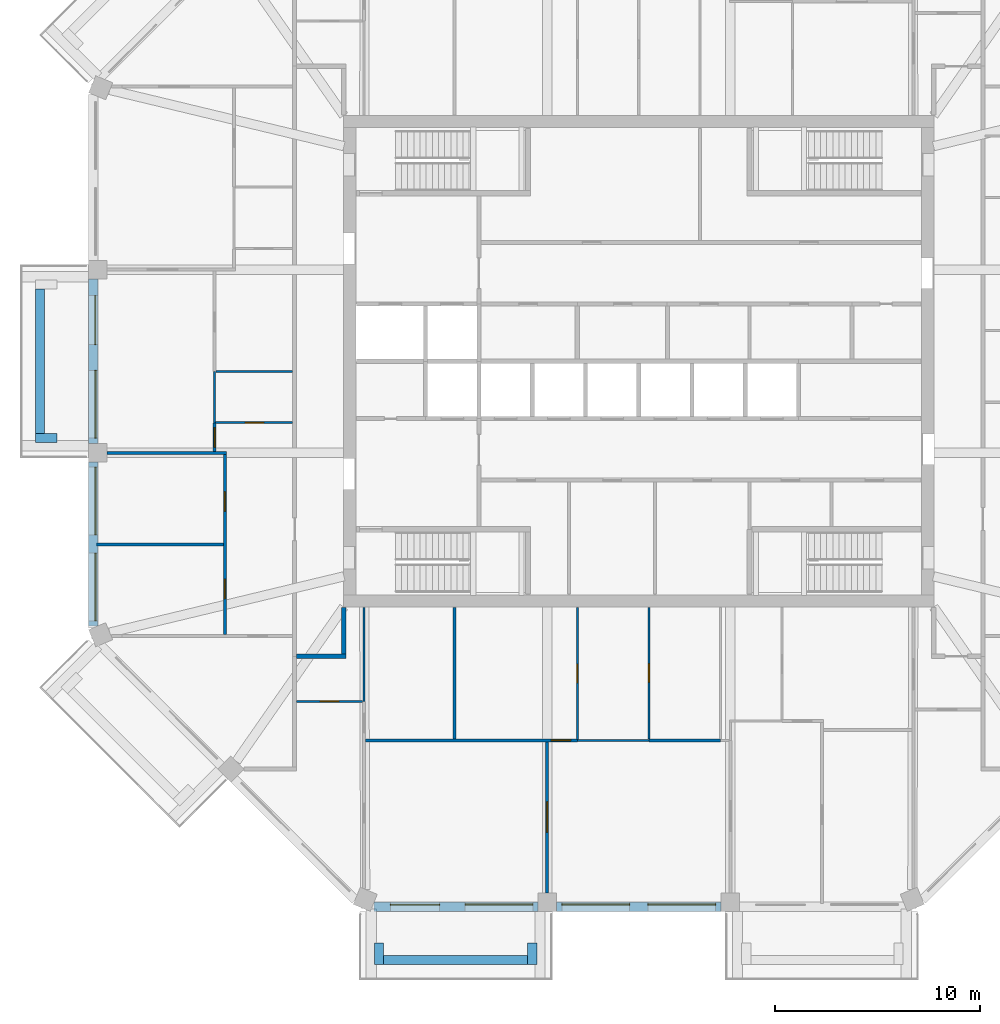
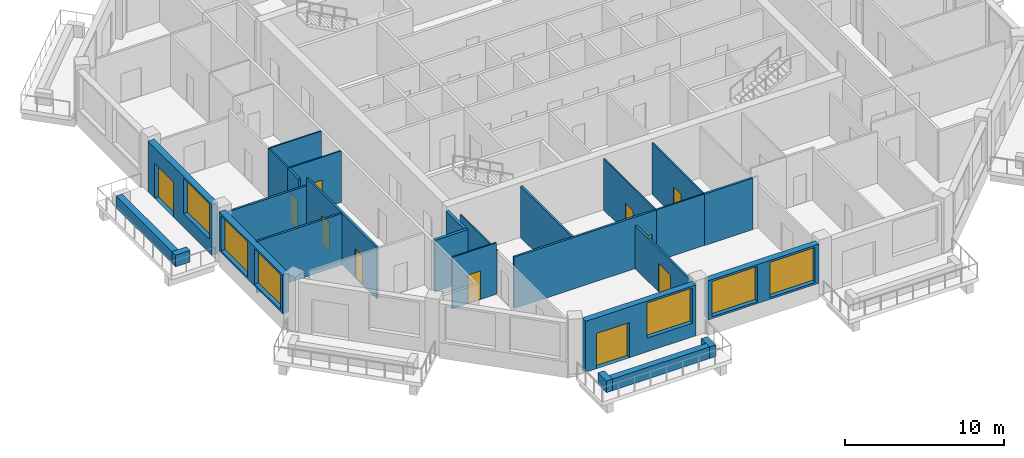
# One storey, part 3 of 12: 27 walls, 11 doors, 6 windows, 17 openings.
"""IFC4 building model written with IfcOpenShell, lengths in metres."""

from ifc_helpers import new_model, si_unit, direction, frame, frame_2d, origin, place, context, subcontext, project, spatial, rectangle, extrude, material, layer, layer_set, type_object, element, fill, save


model = new_model("IFC4")

# Units and contexts
model_context = context("Model", 3, precision=1e-05, world=origin(), true_north=direction((0.0, 1.0)))
body_context = subcontext(model_context, "Body", "Model", "MODEL_VIEW")
ifc_project = project(units=[si_unit("LENGTHUNIT", "METRE"), si_unit("AREAUNIT", "SQUARE_METRE"), si_unit("VOLUMEUNIT", "CUBIC_METRE"), si_unit("PLANEANGLEUNIT", "RADIAN"), si_unit("MASSUNIT", "GRAM", prefix="KILO")], contexts=[model_context])

# Site, building, storey
site_placement = place(None, origin())
site = spatial("IfcSite", under=ifc_project, at=site_placement, CompositionType="ELEMENT")
building_placement = place(site_placement, origin())
building = spatial("IfcBuilding", under=site, at=building_placement, Name="Msitu Wima Residences", CompositionType="ELEMENT")
storey_placement = place(building_placement, frame((0.0, 0.0, 222.300048828125)))
storey = spatial("IfcBuildingStorey", under=building, at=storey_placement, Name="L51", CompositionType="ELEMENT", Elevation=222.300048828125)

# Walls
ifc_material_1 = material(Name="Facing brick")
ifc_layer_1 = layer(ifc_material_1, 0.06494140625, Name="Facing brick")
ifc_material_2 = material(Name="Concrete C40/50", Category="concrete")
ifc_layer_2 = layer(ifc_material_2, 0.156005859375, Name="Concrete C40/50")
ifc_material_3 = material(Name="Waterproofing membrane")
ifc_layer_3 = layer(ifc_material_3, 0.00390625, Name="Waterproofing membrane")
ifc_material_4 = material(Name="Planting soil and planting")
ifc_layer_4 = layer(ifc_material_4, 0.22509765625, Name="Planting soil and planting")
ifc_layer_set_1 = layer_set([ifc_layer_1, ifc_layer_2, ifc_layer_3, ifc_layer_4], Name="Concrete C40/50")
wall_type_1 = type_object("IfcWallType", Name="Balcony planter PLANTER PL450", PredefinedType="USERDEFINED", material=ifc_layer_set_1)
wall_1_placement = place(storey_placement, frame((-29.22509765625, 3.5185546875, 0.0), z_axis=(0.0, 0.0, 1.0), x_axis=(0.0, -1.0, 0.0)))
element("IfcWall", 1, at=wall_1_placement, inside=storey, type_object=wall_type_1, Name="Balcony planter W1 L51", ObjectType="PLANTER", PredefinedType="USERDEFINED", context=body_context, shape_type="SweptSolid", body=[
    extrude(rectangle(XDim=7.037109375, YDim=0.449951171875, at=frame_2d((3.5185546875, 0.0))), origin(), (0.0, 0.0, 1.0), 0.89990234375),
])
wall_2_placement = place(storey_placement, frame((-28.39990234375, -3.74365234375, 0.0), z_axis=(0.0, 0.0, 1.0), x_axis=(-1.0, 0.0, 0.0)))
element("IfcWall", 2, at=wall_2_placement, inside=storey, type_object=wall_type_1, Name="Balcony planter W1 L51", ObjectType="PLANTER", PredefinedType="USERDEFINED", context=body_context, shape_type="SweptSolid", body=[
    extrude(rectangle(XDim=1.050048828125, YDim=0.449951171875, at=frame_2d((0.52490234375, 0.0))), origin(), (0.0, 0.0, 1.0), 0.89990234375),
])
wall_3_placement = place(storey_placement, frame((-12.455810546875, -29.22509765625, 0.0), z_axis=(0.0, 0.0, 1.0), x_axis=(1.0, 0.0, 0.0)))
element("IfcWall", 3, at=wall_3_placement, inside=storey, type_object=wall_type_1, Name="Balcony planter S0 L51", ObjectType="PLANTER", PredefinedType="USERDEFINED", context=body_context, shape_type="SweptSolid", body=[
    extrude(rectangle(XDim=7.037109375, YDim=0.449951171875, at=frame_2d((3.5185546875, 0.0))), origin(), (0.0, 0.0, 1.0), 0.89990234375),
])
for number, where, z_axis, x_axis, name in (
    (4, (-12.680908203125, -28.39990234375, 0.0), (0.0, 0.0, 1.0), (0.0, -1.0, 0.0), "Balcony planter S0 L51"),
    (5, (-5.193603515625, -28.39990234375, 0.0), (0.0, 0.0, 1.0), (0.0, -1.0, 0.0), "Balcony planter S0 L51"),
):
    element("IfcWall", number, at=place(storey_placement, frame(where, z_axis=z_axis, x_axis=x_axis)), inside=storey, type_object=wall_type_1, Name=name, ObjectType="PLANTER", PredefinedType="USERDEFINED", context=body_context, shape_type="SweptSolid", body=[
        extrude(rectangle(XDim=1.050048828125, YDim=0.449951171875, at=frame_2d((0.52490234375, 0.0))), origin(), (0.0, 0.0, 1.0), 0.89990234375),
    ])

# Wall, openings, door, window
ifc_material_5 = material(Name="Brick (red buff mix)", Category="masonry")
ifc_layer_5 = layer(ifc_material_5, 0.449951171875)
ifc_layer_set_2 = layer_set([ifc_layer_5], Name="Brick (red buff mix)")
wall_type_2 = type_object("IfcWallType", Name="Brick infill wall BW450", PredefinedType="SOLIDWALL", material=ifc_layer_set_2)
wall_4_placement = place(storey_placement, frame((-26.625, 4.0185546875, 0.0), z_axis=(0.0, 0.0, 1.0), x_axis=(0.0, -1.0, 0.0)))
wall_4 = element("IfcWall", 6, at=wall_4_placement, inside=storey, type_object=wall_type_2, Name="Brick infill wall L51 W1", PredefinedType="SOLIDWALL", context=body_context, shape_type="SweptSolid", body=[
    extrude(rectangle(XDim=8.037109375, YDim=0.449951171875, at=frame_2d((4.0185546875, 0.0))), origin(), (0.0, 0.0, 1.0), 3.89990234375),
])
opening_1_placement = place(wall_4_placement, frame((0.809326171875, 0.0, 0.0)))
opening_1 = element("IfcOpeningElement", 7, at=opening_1_placement, cuts=wall_4, Name="Opening D50-51.010", PredefinedType="OPENING", context=body_context, shape_type="SweptSolid", body=[
    extrude(rectangle(XDim=2.39990234375, YDim=2.699951171875, at=frame_2d((1.199951171875, 1.35009765625))), frame((0.0, 0.23486328125, 0.0), z_axis=(0.0, -1.0, 0.0), x_axis=(1.0, 0.0, 0.0)), (0.0, 0.0, 1.0), 0.469970703125),
])
opening_2_placement = place(wall_4_placement, frame((4.46875, 0.0, 1.050048828125)))
opening_2 = element("IfcOpeningElement", 8, at=opening_2_placement, cuts=wall_4, Name="Opening W50-51.028", PredefinedType="OPENING", context=body_context, shape_type="SweptSolid", body=[
    extrude(rectangle(XDim=3.300048828125, YDim=2.699951171875, at=frame_2d((1.64990234375, 1.35009765625))), frame((0.0, 0.23486328125, 0.0), z_axis=(0.0, -1.0, 0.0), x_axis=(1.0, 0.0, 0.0)), (0.0, 0.0, 1.0), 0.469970703125),
])
ifc_material_6 = material(Name="Anodised aluminium, bronze finish, clear low-emissivity double glazing", Category="aluminium")
door_type_1 = type_object("IfcDoorType", Name="Balcony door D2400x2700", OperationType="SLIDING_TO_LEFT", PredefinedType="DOOR", material=ifc_material_6)
door_1_placement = place(opening_1_placement, origin())
door_1 = element("IfcDoor", 9, at=door_1_placement, inside=storey, type_object=door_type_1, Name="Balcony door L51 W1", OperationType="SINGLE_SWING_LEFT", OverallHeight=2.699951171875, OverallWidth=2.39990234375, PredefinedType="DOOR", context=body_context, shape_type="SweptSolid", body=[
    extrude(rectangle(XDim=2.39990234375, YDim=2.699951171875, at=frame_2d((1.199951171875, 1.35009765625))), frame((0.0, 0.1298828125, 0.0), z_axis=(0.0, -1.0, 0.0), x_axis=(1.0, 0.0, 0.0)), (0.0, 0.0, 1.0), 0.050048828125),
])
fill(opening_1, door_1)
window_type = type_object("IfcWindowType", Name="Window W3300x2700", PartitioningType="DOUBLE_PANEL_VERTICAL", PredefinedType="WINDOW", material=ifc_material_6)
window_1_placement = place(opening_2_placement, origin())
window_1 = element("IfcWindow", 10, at=window_1_placement, inside=storey, type_object=window_type, Name="Window L51 W1.2", OverallHeight=2.699951171875, OverallWidth=3.300048828125, PartitioningType="SINGLE_PANEL", PredefinedType="WINDOW", context=body_context, shape_type="SweptSolid", body=[
    extrude(rectangle(XDim=3.300048828125, YDim=2.699951171875, at=frame_2d((1.64990234375, 1.35009765625))), frame((0.0, 0.135009765625, 0.0), z_axis=(0.0, -1.0, 0.0), x_axis=(1.0, 0.0, 0.0)), (0.0, 0.0, 1.0), 0.06005859375),
])
fill(opening_2, window_1)

# Wall, openings, windows
wall_5_placement = place(storey_placement, frame((-26.625, -4.918701171875, 0.89990234375), z_axis=(0.0, 0.0, 1.0), x_axis=(0.0, -1.0, 0.0)))
wall_5 = element("IfcWall", 11, at=wall_5_placement, inside=storey, type_object=wall_type_2, Name="Brick infill wall L51 W2", PredefinedType="SOLIDWALL", context=body_context, shape_type="SweptSolid", body=[
    extrude(rectangle(XDim=8.0, YDim=0.449951171875, at=frame_2d((4.0, 0.0))), origin(), (0.0, 0.0, 1.0), 3.0),
])
opening_3_placement = place(wall_5_placement, frame((0.25, 0.0, 0.14990234375)))
opening_3 = element("IfcOpeningElement", 12, at=opening_3_placement, cuts=wall_5, Name="Opening W50-51.029", PredefinedType="OPENING", context=body_context, shape_type="SweptSolid", body=[
    extrude(rectangle(XDim=3.300048828125, YDim=2.699951171875, at=frame_2d((1.64990234375, 1.35009765625))), frame((0.0, 0.23486328125, 0.0), z_axis=(0.0, -1.0, 0.0), x_axis=(1.0, 0.0, 0.0)), (0.0, 0.0, 1.0), 0.469970703125),
])
opening_4_placement = place(wall_5_placement, frame((4.4501953125, 0.0, 0.14990234375)))
opening_4 = element("IfcOpeningElement", 13, at=opening_4_placement, cuts=wall_5, Name="Opening W50-51.030", PredefinedType="OPENING", context=body_context, shape_type="SweptSolid", body=[
    extrude(rectangle(XDim=3.300048828125, YDim=2.699951171875, at=frame_2d((1.64990234375, 1.35009765625))), frame((0.0, 0.23486328125, 0.0), z_axis=(0.0, -1.0, 0.0), x_axis=(1.0, 0.0, 0.0)), (0.0, 0.0, 1.0), 0.469970703125),
])
window_2_placement = place(opening_3_placement, origin())
window_2 = element("IfcWindow", 14, at=window_2_placement, inside=storey, type_object=window_type, Name="Window L51 W2.1", OverallHeight=2.699951171875, OverallWidth=3.300048828125, PartitioningType="SINGLE_PANEL", PredefinedType="WINDOW", context=body_context, shape_type="SweptSolid", body=[
    extrude(rectangle(XDim=3.300048828125, YDim=2.699951171875, at=frame_2d((1.64990234375, 1.35009765625))), frame((0.0, 0.135009765625, 0.0), z_axis=(0.0, -1.0, 0.0), x_axis=(1.0, 0.0, 0.0)), (0.0, 0.0, 1.0), 0.06005859375),
])
fill(opening_3, window_2)
window_3_placement = place(opening_4_placement, origin())
window_3 = element("IfcWindow", 15, at=window_3_placement, inside=storey, type_object=window_type, Name="Window L51 W2.2", OverallHeight=2.699951171875, OverallWidth=3.300048828125, PartitioningType="SINGLE_PANEL", PredefinedType="WINDOW", context=body_context, shape_type="SweptSolid", body=[
    extrude(rectangle(XDim=3.300048828125, YDim=2.699951171875, at=frame_2d((1.64990234375, 1.35009765625))), frame((0.0, 0.135009765625, 0.0), z_axis=(0.0, -1.0, 0.0), x_axis=(1.0, 0.0, 0.0)), (0.0, 0.0, 1.0), 0.06005859375),
])
fill(opening_4, window_3)

# Wall, openings, door, window
wall_6_placement = place(storey_placement, frame((-12.918701171875, -26.625, 0.0), z_axis=(0.0, 0.0, 1.0), x_axis=(1.0, 0.0, 0.0)))
wall_6 = element("IfcWall", 16, at=wall_6_placement, inside=storey, type_object=wall_type_2, Name="Brick infill wall L51 S0", PredefinedType="SOLIDWALL", context=body_context, shape_type="SweptSolid", body=[
    extrude(rectangle(XDim=8.0, YDim=0.449951171875, at=frame_2d((4.0, 0.0))), origin(), (0.0, 0.0, 1.0), 3.89990234375),
])
opening_5_placement = place(wall_6_placement, frame((0.800048828125, 0.0, 0.0)))
opening_5 = element("IfcOpeningElement", 17, at=opening_5_placement, cuts=wall_6, Name="Opening D50-51.006", PredefinedType="OPENING", context=body_context, shape_type="SweptSolid", body=[
    extrude(rectangle(XDim=2.39990234375, YDim=2.699951171875, at=frame_2d((1.199951171875, 1.35009765625))), frame((0.0, 0.23486328125, 0.0), z_axis=(0.0, -1.0, 0.0), x_axis=(1.0, 0.0, 0.0)), (0.0, 0.0, 1.0), 0.469970703125),
])
opening_6_placement = place(wall_6_placement, frame((4.4501953125, 0.0, 1.050048828125)))
opening_6 = element("IfcOpeningElement", 18, at=opening_6_placement, cuts=wall_6, Name="Opening W50-51.016", PredefinedType="OPENING", context=body_context, shape_type="SweptSolid", body=[
    extrude(rectangle(XDim=3.300048828125, YDim=2.699951171875, at=frame_2d((1.64990234375, 1.35009765625))), frame((0.0, 0.23486328125, 0.0), z_axis=(0.0, -1.0, 0.0), x_axis=(1.0, 0.0, 0.0)), (0.0, 0.0, 1.0), 0.469970703125),
])
door_2_placement = place(opening_5_placement, origin())
door_2 = element("IfcDoor", 19, at=door_2_placement, inside=storey, type_object=door_type_1, Name="Balcony door L51 S0", OperationType="SINGLE_SWING_LEFT", OverallHeight=2.699951171875, OverallWidth=2.39990234375, PredefinedType="DOOR", context=body_context, shape_type="SweptSolid", body=[
    extrude(rectangle(XDim=2.39990234375, YDim=2.699951171875, at=frame_2d((1.199951171875, 1.35009765625))), frame((0.0, 0.1298828125, 0.0), z_axis=(0.0, -1.0, 0.0), x_axis=(1.0, 0.0, 0.0)), (0.0, 0.0, 1.0), 0.050048828125),
])
fill(opening_5, door_2)
window_4_placement = place(opening_6_placement, origin())
window_4 = element("IfcWindow", 20, at=window_4_placement, inside=storey, type_object=window_type, Name="Window L51 S0.2", OverallHeight=2.699951171875, OverallWidth=3.300048828125, PartitioningType="SINGLE_PANEL", PredefinedType="WINDOW", context=body_context, shape_type="SweptSolid", body=[
    extrude(rectangle(XDim=3.300048828125, YDim=2.699951171875, at=frame_2d((1.64990234375, 1.35009765625))), frame((0.0, 0.135009765625, 0.0), z_axis=(0.0, -1.0, 0.0), x_axis=(1.0, 0.0, 0.0)), (0.0, 0.0, 1.0), 0.06005859375),
])
fill(opening_6, window_4)

# Wall, openings, windows
wall_7_placement = place(storey_placement, frame((-4.0185546875, -26.625, 0.89990234375), z_axis=(0.0, 0.0, 1.0), x_axis=(1.0, 0.0, 0.0)))
wall_7 = element("IfcWall", 21, at=wall_7_placement, inside=storey, type_object=wall_type_2, Name="Brick infill wall L51 S1", PredefinedType="SOLIDWALL", context=body_context, shape_type="SweptSolid", body=[
    extrude(rectangle(XDim=8.037109375, YDim=0.449951171875, at=frame_2d((4.0185546875, 0.0))), origin(), (0.0, 0.0, 1.0), 3.0),
])
opening_7_placement = place(wall_7_placement, frame((0.2685546875, 0.0, 0.14990234375)))
opening_7 = element("IfcOpeningElement", 22, at=opening_7_placement, cuts=wall_7, Name="Opening W50-51.017", PredefinedType="OPENING", context=body_context, shape_type="SweptSolid", body=[
    extrude(rectangle(XDim=3.300048828125, YDim=2.699951171875, at=frame_2d((1.64990234375, 1.35009765625))), frame((0.0, 0.23486328125, 0.0), z_axis=(0.0, -1.0, 0.0), x_axis=(1.0, 0.0, 0.0)), (0.0, 0.0, 1.0), 0.469970703125),
])
opening_8_placement = place(wall_7_placement, frame((4.46875, 0.0, 0.14990234375)))
opening_8 = element("IfcOpeningElement", 23, at=opening_8_placement, cuts=wall_7, Name="Opening W50-51.018", PredefinedType="OPENING", context=body_context, shape_type="SweptSolid", body=[
    extrude(rectangle(XDim=3.300048828125, YDim=2.699951171875, at=frame_2d((1.64990234375, 1.35009765625))), frame((0.0, 0.23486328125, 0.0), z_axis=(0.0, -1.0, 0.0), x_axis=(1.0, 0.0, 0.0)), (0.0, 0.0, 1.0), 0.469970703125),
])
window_5_placement = place(opening_7_placement, origin())
window_5 = element("IfcWindow", 24, at=window_5_placement, inside=storey, type_object=window_type, Name="Window L51 S1.1", OverallHeight=2.699951171875, OverallWidth=3.300048828125, PartitioningType="SINGLE_PANEL", PredefinedType="WINDOW", context=body_context, shape_type="SweptSolid", body=[
    extrude(rectangle(XDim=3.300048828125, YDim=2.699951171875, at=frame_2d((1.64990234375, 1.35009765625))), frame((0.0, 0.135009765625, 0.0), z_axis=(0.0, -1.0, 0.0), x_axis=(1.0, 0.0, 0.0)), (0.0, 0.0, 1.0), 0.06005859375),
])
fill(opening_7, window_5)
window_6_placement = place(opening_8_placement, origin())
window_6 = element("IfcWindow", 25, at=window_6_placement, inside=storey, type_object=window_type, Name="Window L51 S1.2", OverallHeight=2.699951171875, OverallWidth=3.300048828125, PartitioningType="SINGLE_PANEL", PredefinedType="WINDOW", context=body_context, shape_type="SweptSolid", body=[
    extrude(rectangle(XDim=3.300048828125, YDim=2.699951171875, at=frame_2d((1.64990234375, 1.35009765625))), frame((0.0, 0.135009765625, 0.0), z_axis=(0.0, -1.0, 0.0), x_axis=(1.0, 0.0, 0.0)), (0.0, 0.0, 1.0), 0.06005859375),
])
fill(opening_8, window_6)

# Walls
ifc_material_7 = material(Name="Plaster")
ifc_layer_6 = layer(ifc_material_7, 0.011962890625, Name="Plaster")
ifc_material_8 = material(Name="Concrete blockwork", Category="masonry")
ifc_layer_7 = layer(ifc_material_8, 0.176025390625, Name="Concrete blockwork")
ifc_layer_8 = layer(ifc_material_7, 0.011962890625, Name="Plaster")
ifc_layer_set_3 = layer_set([ifc_layer_6, ifc_layer_7, ifc_layer_8], Name="Concrete blockwork")
wall_type_3 = type_object("IfcWallType", Name="Corridor wall FW200", PredefinedType="PARTITIONING", material=ifc_layer_set_3)
wall_8_placement = place(storey_placement, frame((-16.699951171875, -14.39990234375, 0.0), z_axis=(0.0, 0.0, 1.0), x_axis=(1.0, 0.0, 0.0)))
element("IfcWall", 26, at=wall_8_placement, inside=storey, type_object=wall_type_3, Name="Corridor wall", PredefinedType="PARTITIONING", context=body_context, shape_type="SweptSolid", body=[
    extrude(rectangle(XDim=2.39990234375, YDim=0.199951171875, at=frame_2d((1.199951171875, 0.0))), origin(), (0.0, 0.0, 1.0), 3.949951171875),
])
wall_9_placement = place(storey_placement, frame((-14.39990234375, -14.300048828125, 0.0), z_axis=(0.0, 0.0, 1.0), x_axis=(0.0, 1.0, 0.0)))
element("IfcWall", 27, at=wall_9_placement, inside=storey, type_object=wall_type_3, Name="Corridor wall", PredefinedType="PARTITIONING", context=body_context, shape_type="SweptSolid", body=[
    extrude(rectangle(XDim=2.27001953125, YDim=0.199951171875, at=frame_2d((1.135009765625, 0.0))), origin(), (0.0, 0.0, 1.0), 3.949951171875),
])
ifc_layer_9 = layer(ifc_material_7, 0.011962890625, Name="Plaster")
ifc_layer_10 = layer(ifc_material_8, 0.1259765625, Name="Concrete blockwork")
ifc_layer_11 = layer(ifc_material_7, 0.011962890625, Name="Plaster")
ifc_layer_set_4 = layer_set([ifc_layer_9, ifc_layer_10, ifc_layer_11], Name="Concrete blockwork")
wall_type_4 = type_object("IfcWallType", Name="Partition PW150", PredefinedType="PARTITIONING", material=ifc_layer_set_4)
wall_10_placement = place(storey_placement, frame((-26.455078125, -8.937255859375, 0.0), z_axis=(0.0, 0.0, 1.0), x_axis=(1.0, 0.0, 0.0)))
element("IfcWall", 28, at=wall_10_placement, inside=storey, type_object=wall_type_4, Name="Partition", PredefinedType="PARTITIONING", context=body_context, shape_type="SweptSolid", body=[
    extrude(rectangle(XDim=6.18017578125, YDim=0.14990234375, at=frame_2d((3.090087890625, 0.0))), origin(), (0.0, 0.0, 1.0), 3.949951171875),
])
wall_11_placement = place(storey_placement, frame((-25.949951171875, -4.46875, 0.0), z_axis=(0.0, 0.0, 1.0), x_axis=(1.0, 0.0, 0.0)))
element("IfcWall", 29, at=wall_11_placement, inside=storey, type_object=wall_type_4, Name="Partition", PredefinedType="PARTITIONING", context=body_context, shape_type="SweptSolid", body=[
    extrude(rectangle(XDim=5.824951171875, YDim=0.14990234375, at=frame_2d((2.91259765625, 0.0))), origin(), (0.0, 0.0, 1.0), 3.349853515625),
])

# Wall, opening, door
wall_12_placement = place(storey_placement, frame((-20.699951171875, -4.3935546875, 0.0), z_axis=(0.0, 0.0, 1.0), x_axis=(0.0, 1.0, 0.0)))
wall_12 = element("IfcWall", 30, at=wall_12_placement, inside=storey, type_object=wall_type_4, Name="Partition", PredefinedType="PARTITIONING", context=body_context, shape_type="SweptSolid", body=[
    extrude(rectangle(XDim=1.37353515625, YDim=0.14990234375, at=frame_2d((0.686767578125, 0.0))), origin(), (0.0, 0.0, 1.0), 3.949951171875),
])
opening_9_placement = place(wall_12_placement, frame((0.199951171875, 0.0, 0.0)))
opening_9 = element("IfcOpeningElement", 31, at=opening_9_placement, cuts=wall_12, Name="Opening D50-51.041", PredefinedType="OPENING", context=body_context, shape_type="SweptSolid", body=[
    extrude(rectangle(XDim=0.949951171875, YDim=2.199951171875, at=frame_2d((0.47509765625, 1.10009765625))), frame((0.0, 0.0849609375, 0.0), z_axis=(0.0, -1.0, 0.0), x_axis=(1.0, 0.0, 0.0)), (0.0, 0.0, 1.0), 0.169921875),
])
ifc_material_9 = material(Name="Timber flush door", Category="wood")
door_type_2 = type_object("IfcDoorType", Name="Room door D12 950x2200", OperationType="SINGLE_SWING_LEFT", PredefinedType="DOOR", material=ifc_material_9)
door_3_placement = place(opening_9_placement, origin())
door_3 = element("IfcDoor", 32, at=door_3_placement, inside=storey, type_object=door_type_2, Name="Room door", OperationType="SINGLE_SWING_LEFT", OverallHeight=2.199951171875, OverallWidth=0.949951171875, PredefinedType="DOOR", context=body_context, shape_type="SweptSolid", body=[
    extrude(rectangle(XDim=0.949951171875, YDim=2.199951171875, at=frame_2d((0.47509765625, 1.10009765625))), frame((0.0, 0.02490234375, 0.0), z_axis=(0.0, -1.0, 0.0), x_axis=(1.0, 0.0, 0.0)), (0.0, 0.0, 1.0), 0.050048828125),
])
fill(opening_9, door_3)

# Wall, openings, doors
wall_13_placement = place(storey_placement, frame((-20.199951171875, -13.330810546875, 0.0), z_axis=(0.0, 0.0, 1.0), x_axis=(0.0, 1.0, 0.0)))
wall_13 = element("IfcWall", 33, at=wall_13_placement, inside=storey, type_object=wall_type_4, Name="Partition", PredefinedType="PARTITIONING", context=body_context, shape_type="SweptSolid", body=[
    extrude(rectangle(XDim=8.787109375, YDim=0.14990234375, at=frame_2d((4.3935546875, 0.0))), origin(), (0.0, 0.0, 1.0), 3.949951171875),
])
opening_10_placement = place(wall_13_placement, frame((1.75, 0.0, 0.0)))
opening_10 = element("IfcOpeningElement", 34, at=opening_10_placement, cuts=wall_13, Name="Opening D50-51.039", PredefinedType="OPENING", context=body_context, shape_type="SweptSolid", body=[
    extrude(rectangle(XDim=0.949951171875, YDim=2.199951171875, at=frame_2d((0.47509765625, 1.10009765625))), frame((0.0, 0.0849609375, 0.0), z_axis=(0.0, -1.0, 0.0), x_axis=(1.0, 0.0, 0.0)), (0.0, 0.0, 1.0), 0.169921875),
])
opening_11_placement = place(wall_13_placement, frame((6.0, 0.0, 0.0)))
opening_11 = element("IfcOpeningElement", 35, at=opening_11_placement, cuts=wall_13, Name="Opening D50-51.040", PredefinedType="OPENING", context=body_context, shape_type="SweptSolid", body=[
    extrude(rectangle(XDim=0.949951171875, YDim=2.199951171875, at=frame_2d((0.47509765625, 1.10009765625))), frame((0.0, 0.0849609375, 0.0), z_axis=(0.0, -1.0, 0.0), x_axis=(1.0, 0.0, 0.0)), (0.0, 0.0, 1.0), 0.169921875),
])
door_4_placement = place(opening_10_placement, origin())
door_4 = element("IfcDoor", 36, at=door_4_placement, inside=storey, type_object=door_type_2, Name="Room door", OperationType="SINGLE_SWING_RIGHT", OverallHeight=2.199951171875, OverallWidth=0.949951171875, PredefinedType="DOOR", context=body_context, shape_type="SweptSolid", body=[
    extrude(rectangle(XDim=0.949951171875, YDim=2.199951171875, at=frame_2d((0.47509765625, 1.10009765625))), frame((0.0, 0.02490234375, 0.0), z_axis=(0.0, -1.0, 0.0), x_axis=(1.0, 0.0, 0.0)), (0.0, 0.0, 1.0), 0.050048828125),
])
fill(opening_10, door_4)
door_5_placement = place(opening_11_placement, origin())
door_5 = element("IfcDoor", 37, at=door_5_placement, inside=storey, type_object=door_type_2, Name="Room door", OperationType="SINGLE_SWING_LEFT", OverallHeight=2.199951171875, OverallWidth=0.949951171875, PredefinedType="DOOR", context=body_context, shape_type="SweptSolid", body=[
    extrude(rectangle(XDim=0.949951171875, YDim=2.199951171875, at=frame_2d((0.47509765625, 1.10009765625))), frame((0.0, 0.02490234375, 0.0), z_axis=(0.0, -1.0, 0.0), x_axis=(1.0, 0.0, 0.0)), (0.0, 0.0, 1.0), 0.050048828125),
])
fill(opening_11, door_5)

# Wall, opening, door
wall_14_placement = place(storey_placement, frame((-13.330810546875, -18.5, 0.0), z_axis=(0.0, 0.0, 1.0), x_axis=(1.0, 0.0, 0.0)))
wall_14 = element("IfcWall", 38, at=wall_14_placement, inside=storey, type_object=wall_type_4, Name="Partition", PredefinedType="PARTITIONING", context=body_context, shape_type="SweptSolid", body=[
    extrude(rectangle(XDim=10.330810546875, YDim=0.14990234375, at=frame_2d((5.16552734375, 0.0))), origin(), (0.0, 0.0, 1.0), 3.949951171875),
])
opening_12_placement = place(wall_14_placement, frame((9.050048828125, 0.0, 0.0)))
opening_12 = element("IfcOpeningElement", 39, at=opening_12_placement, cuts=wall_14, Name="Opening D50-51.057", PredefinedType="OPENING", context=body_context, shape_type="SweptSolid", body=[
    extrude(rectangle(XDim=0.949951171875, YDim=2.199951171875, at=frame_2d((0.47509765625, 1.10009765625))), frame((0.0, 0.0849609375, 0.0), z_axis=(0.0, -1.0, 0.0), x_axis=(1.0, 0.0, 0.0)), (0.0, 0.0, 1.0), 0.169921875),
])
door_6_placement = place(opening_12_placement, origin())
door_6 = element("IfcDoor", 40, at=door_6_placement, inside=storey, type_object=door_type_2, Name="Room door", OperationType="SINGLE_SWING_RIGHT", OverallHeight=2.199951171875, OverallWidth=0.949951171875, PredefinedType="DOOR", context=body_context, shape_type="SweptSolid", body=[
    extrude(rectangle(XDim=0.949951171875, YDim=2.199951171875, at=frame_2d((0.47509765625, 1.10009765625))), frame((0.0, 0.02490234375, 0.0), z_axis=(0.0, -1.0, 0.0), x_axis=(1.0, 0.0, 0.0)), (0.0, 0.0, 1.0), 0.050048828125),
])
fill(opening_12, door_6)

# Wall
wall_15_placement = place(storey_placement, frame((-9.0, -18.425048828125, 0.0), z_axis=(0.0, 0.0, 1.0), x_axis=(0.0, 1.0, 0.0)))
element("IfcWall", 41, at=wall_15_placement, inside=storey, type_object=wall_type_4, Name="Partition", PredefinedType="PARTITIONING", context=body_context, shape_type="SweptSolid", body=[
    extrude(rectangle(XDim=6.39501953125, YDim=0.14990234375, at=frame_2d((3.197509765625, 0.0))), origin(), (0.0, 0.0, 1.0), 3.949951171875),
])

# Wall, opening, door
wall_16_placement = place(storey_placement, frame((-4.46875, -25.949951171875, 0.0), z_axis=(0.0, 0.0, 1.0), x_axis=(0.0, 1.0, 0.0)))
wall_16 = element("IfcWall", 42, at=wall_16_placement, inside=storey, type_object=wall_type_4, Name="Partition", PredefinedType="PARTITIONING", context=body_context, shape_type="SweptSolid", body=[
    extrude(rectangle(XDim=7.375, YDim=0.14990234375, at=frame_2d((3.6875, 0.0))), origin(), (0.0, 0.0, 1.0), 3.300048828125),
])
opening_13_placement = place(wall_16_placement, frame((2.949951171875, 0.0, 0.0)))
opening_13 = element("IfcOpeningElement", 43, at=opening_13_placement, cuts=wall_16, Name="Opening D50-51.048", PredefinedType="OPENING", context=body_context, shape_type="SweptSolid", body=[
    extrude(rectangle(XDim=1.5, YDim=2.199951171875, at=frame_2d((0.75, 1.10009765625))), frame((0.0, 0.0849609375, 0.0), z_axis=(0.0, -1.0, 0.0), x_axis=(1.0, 0.0, 0.0)), (0.0, 0.0, 1.0), 0.169921875),
])
ifc_material_10 = material(Name="Timber double door", Category="wood")
door_type_3 = type_object("IfcDoorType", Name="Double door D04 1500x2200", OperationType="DOUBLE_DOOR_SINGLE_SWING", PredefinedType="DOOR", material=ifc_material_10)
door_7_placement = place(opening_13_placement, origin())
door_7 = element("IfcDoor", 44, at=door_7_placement, inside=storey, type_object=door_type_3, Name="Double door", OperationType="DOUBLE_DOOR_SINGLE_SWING", OverallHeight=2.199951171875, OverallWidth=1.5, PredefinedType="DOOR", context=body_context, shape_type="SweptSolid", body=[
    extrude(rectangle(XDim=1.5, YDim=2.199951171875, at=frame_2d((0.75, 1.10009765625))), frame((0.0, 0.02490234375, 0.0), z_axis=(0.0, -1.0, 0.0), x_axis=(1.0, 0.0, 0.0)), (0.0, 0.0, 1.0), 0.050048828125),
])
fill(opening_13, door_7)

# Walls
wall_17_placement = place(storey_placement, frame((0.5, -18.5, 0.0), z_axis=(0.0, 0.0, 1.0), x_axis=(1.0, 0.0, 0.0)))
element("IfcWall", 45, at=wall_17_placement, inside=storey, type_object=wall_type_4, Name="Partition", PredefinedType="PARTITIONING", context=body_context, shape_type="SweptSolid", body=[
    extrude(rectangle(XDim=3.5, YDim=0.14990234375, at=frame_2d((1.75, 0.0))), origin(), (0.0, 0.0, 1.0), 3.949951171875),
])
ifc_material_11 = material(Name="Ceramic tiles")
ifc_layer_12 = layer(ifc_material_11, 0.008056640625, Name="Ceramic tiles")
ifc_material_12 = material(Name="Moisture-resistant board")
ifc_layer_13 = layer(ifc_material_12, 0.012451171875, Name="Moisture-resistant board")
ifc_material_13 = material(Name="Light-gauge stud framing with mineral wool")
ifc_layer_14 = layer(ifc_material_13, 0.06689453125, Name="Light-gauge stud framing with mineral wool")
ifc_layer_15 = layer(ifc_material_12, 0.012451171875, Name="Moisture-resistant board")
ifc_layer_set_5 = layer_set([ifc_layer_12, ifc_layer_13, ifc_layer_14, ifc_layer_15], Name="Light-gauge stud framing with mineral wool")
wall_type_5 = type_object("IfcWallType", Name="Wet wall PW100", PredefinedType="PARTITIONING", material=ifc_layer_set_5)
wall_18_placement = place(storey_placement, frame((-20.699951171875, -3.02001953125, 0.0), z_axis=(0.0, 0.0, 1.0), x_axis=(0.0, 1.0, 0.0)))
element("IfcWall", 46, at=wall_18_placement, inside=storey, type_object=wall_type_5, Name="Wet wall", PredefinedType="PARTITIONING", context=body_context, shape_type="SweptSolid", body=[
    extrude(rectangle(XDim=2.52001953125, YDim=0.10009765625, at=frame_2d((1.260009765625, 0.0))), origin(), (0.0, 0.0, 1.0), 3.949951171875),
])

# Wall, opening, door
wall_19_placement = place(storey_placement, frame((-20.64990234375, -3.0, 0.0), z_axis=(0.0, 0.0, 1.0), x_axis=(1.0, 0.0, 0.0)))
wall_19 = element("IfcWall", 47, at=wall_19_placement, inside=storey, type_object=wall_type_5, Name="Wet wall", PredefinedType="PARTITIONING", context=body_context, shape_type="SweptSolid", body=[
    extrude(rectangle(XDim=3.75, YDim=0.10009765625, at=frame_2d((1.875, 0.0))), origin(), (0.0, 0.0, 1.0), 3.949951171875),
])
opening_14_placement = place(wall_19_placement, frame((1.449951171875, 0.0, 0.0)))
opening_14 = element("IfcOpeningElement", 48, at=opening_14_placement, cuts=wall_19, Name="Opening D50-51.038", PredefinedType="OPENING", context=body_context, shape_type="SweptSolid", body=[
    extrude(rectangle(XDim=0.89990234375, YDim=2.199951171875, at=frame_2d((0.449951171875, 1.10009765625))), frame((0.0, 0.06005859375, 0.0), z_axis=(0.0, -1.0, 0.0), x_axis=(1.0, 0.0, 0.0)), (0.0, 0.0, 1.0), 0.1201171875),
])
ifc_material_14 = material(Name="Timber flush door, moisture resistant", Category="wood")
door_type_4 = type_object("IfcDoorType", Name="Bathroom door D03 900x2200", OperationType="SINGLE_SWING_LEFT", PredefinedType="DOOR", material=ifc_material_14)
door_8_placement = place(opening_14_placement, origin())
door_8 = element("IfcDoor", 49, at=door_8_placement, inside=storey, type_object=door_type_4, Name="Bathroom door", OperationType="SINGLE_SWING_RIGHT", OverallHeight=2.199951171875, OverallWidth=0.89990234375, PredefinedType="DOOR", context=body_context, shape_type="SweptSolid", body=[
    extrude(rectangle(XDim=0.89990234375, YDim=2.199951171875, at=frame_2d((0.449951171875, 1.10009765625))), frame((0.0, 0.02490234375, 0.0), z_axis=(0.0, -1.0, 0.0), x_axis=(1.0, 0.0, 0.0)), (0.0, 0.0, 1.0), 0.050048828125),
])
fill(opening_14, door_8)

# Wall
wall_20_placement = place(storey_placement, frame((-20.625, -0.5, 0.0), z_axis=(0.0, 0.0, 1.0), x_axis=(1.0, 0.0, 0.0)))
element("IfcWall", 50, at=wall_20_placement, inside=storey, type_object=wall_type_5, Name="Wet wall", PredefinedType="PARTITIONING", context=body_context, shape_type="SweptSolid", body=[
    extrude(rectangle(XDim=3.72509765625, YDim=0.10009765625, at=frame_2d((1.862548828125, 0.0))), origin(), (0.0, 0.0, 1.0), 3.949951171875),
])

# Wall, opening, door
wall_21_placement = place(storey_placement, frame((-16.699951171875, -16.60009765625, 0.0), z_axis=(0.0, 0.0, 1.0), x_axis=(1.0, 0.0, 0.0)))
wall_21 = element("IfcWall", 51, at=wall_21_placement, inside=storey, type_object=wall_type_5, Name="Wet wall", PredefinedType="PARTITIONING", context=body_context, shape_type="SweptSolid", body=[
    extrude(rectangle(XDim=3.218994140625, YDim=0.10009765625, at=frame_2d((1.609375, 0.0))), origin(), (0.0, 0.0, 1.0), 3.949951171875),
])
opening_15_placement = place(wall_21_placement, frame((1.14990234375, 0.0, 0.0)))
opening_15 = element("IfcOpeningElement", 52, at=opening_15_placement, cuts=wall_21, Name="Opening D50-51.051", PredefinedType="OPENING", context=body_context, shape_type="SweptSolid", body=[
    extrude(rectangle(XDim=0.89990234375, YDim=2.199951171875, at=frame_2d((0.449951171875, 1.10009765625))), frame((0.0, 0.06005859375, 0.0), z_axis=(0.0, -1.0, 0.0), x_axis=(1.0, 0.0, 0.0)), (0.0, 0.0, 1.0), 0.1201171875),
])
door_9_placement = place(opening_15_placement, origin())
door_9 = element("IfcDoor", 53, at=door_9_placement, inside=storey, type_object=door_type_4, Name="Bathroom door", OperationType="SINGLE_SWING_LEFT", OverallHeight=2.199951171875, OverallWidth=0.89990234375, PredefinedType="DOOR", context=body_context, shape_type="SweptSolid", body=[
    extrude(rectangle(XDim=0.89990234375, YDim=2.199951171875, at=frame_2d((0.449951171875, 1.10009765625))), frame((0.0, 0.02490234375, 0.0), z_axis=(0.0, -1.0, 0.0), x_axis=(1.0, 0.0, 0.0)), (0.0, 0.0, 1.0), 0.050048828125),
])
fill(opening_15, door_9)

# Walls
wall_22_placement = place(storey_placement, frame((-13.406005859375, -16.60009765625, 0.0), z_axis=(0.0, 0.0, 1.0), x_axis=(0.0, 1.0, 0.0)))
element("IfcWall", 54, at=wall_22_placement, inside=storey, type_object=wall_type_5, Name="Wet wall", PredefinedType="PARTITIONING", context=body_context, shape_type="SweptSolid", body=[
    extrude(rectangle(XDim=4.570068359375, YDim=0.10009765625, at=frame_2d((2.28515625, 0.0))), origin(), (0.0, 0.0, 1.0), 3.300048828125),
])
wall_23_placement = place(storey_placement, frame((-3.0, -18.5, 0.0), z_axis=(0.0, 0.0, 1.0), x_axis=(1.0, 0.0, 0.0)))
element("IfcWall", 55, at=wall_23_placement, inside=storey, type_object=wall_type_5, Name="Wet wall", PredefinedType="PARTITIONING", context=body_context, shape_type="SweptSolid", body=[
    extrude(rectangle(XDim=3.5, YDim=0.10009765625, at=frame_2d((1.75, 0.0))), origin(), (0.0, 0.0, 1.0), 3.949951171875),
])

# Wall, opening, door
wall_24_placement = place(storey_placement, frame((-3.0, -18.449951171875, 0.0), z_axis=(0.0, 0.0, 1.0), x_axis=(0.0, 1.0, 0.0)))
wall_24 = element("IfcWall", 56, at=wall_24_placement, inside=storey, type_object=wall_type_5, Name="Wet wall", PredefinedType="PARTITIONING", context=body_context, shape_type="SweptSolid", body=[
    extrude(rectangle(XDim=6.419921875, YDim=0.10009765625, at=frame_2d((3.2099609375, 0.0))), origin(), (0.0, 0.0, 1.0), 3.949951171875),
])
opening_16_placement = place(wall_24_placement, frame((2.75, 0.0, 0.0)))
opening_16 = element("IfcOpeningElement", 57, at=opening_16_placement, cuts=wall_24, Name="Opening D50-51.058", PredefinedType="OPENING", context=body_context, shape_type="SweptSolid", body=[
    extrude(rectangle(XDim=0.89990234375, YDim=2.199951171875, at=frame_2d((0.449951171875, 1.10009765625))), frame((0.0, 0.06005859375, 0.0), z_axis=(0.0, -1.0, 0.0), x_axis=(1.0, 0.0, 0.0)), (0.0, 0.0, 1.0), 0.1201171875),
])
door_type_5 = type_object("IfcDoorType", Name="Service door D05 900x2200", OperationType="SINGLE_SWING_LEFT", PredefinedType="DOOR", material=ifc_material_9)
door_10_placement = place(opening_16_placement, origin())
door_10 = element("IfcDoor", 58, at=door_10_placement, inside=storey, type_object=door_type_5, Name="Service door", OperationType="SINGLE_SWING_LEFT", OverallHeight=2.199951171875, OverallWidth=0.89990234375, PredefinedType="DOOR", context=body_context, shape_type="SweptSolid", body=[
    extrude(rectangle(XDim=0.89990234375, YDim=2.199951171875, at=frame_2d((0.449951171875, 1.10009765625))), frame((0.0, 0.02490234375, 0.0), z_axis=(0.0, -1.0, 0.0), x_axis=(1.0, 0.0, 0.0)), (0.0, 0.0, 1.0), 0.050048828125),
])
fill(opening_16, door_10)

wall_25_placement = place(storey_placement, frame((0.5, -18.425048828125, 0.0), z_axis=(0.0, 0.0, 1.0), x_axis=(0.0, 1.0, 0.0)))
wall_25 = element("IfcWall", 59, at=wall_25_placement, inside=storey, type_object=wall_type_5, Name="Wet wall", PredefinedType="PARTITIONING", context=body_context, shape_type="SweptSolid", body=[
    extrude(rectangle(XDim=6.39501953125, YDim=0.10009765625, at=frame_2d((3.197509765625, 0.0))), origin(), (0.0, 0.0, 1.0), 3.949951171875),
])
opening_17_placement = place(wall_25_placement, frame((2.75, 0.0, 0.0)))
opening_17 = element("IfcOpeningElement", 60, at=opening_17_placement, cuts=wall_25, Name="Opening D50-51.059", PredefinedType="OPENING", context=body_context, shape_type="SweptSolid", body=[
    extrude(rectangle(XDim=0.89990234375, YDim=2.199951171875, at=frame_2d((0.449951171875, 1.10009765625))), frame((0.0, 0.06005859375, 0.0), z_axis=(0.0, -1.0, 0.0), x_axis=(1.0, 0.0, 0.0)), (0.0, 0.0, 1.0), 0.1201171875),
])
door_11_placement = place(opening_17_placement, origin())
door_11 = element("IfcDoor", 61, at=door_11_placement, inside=storey, type_object=door_type_5, Name="Service door", OperationType="SINGLE_SWING_RIGHT", OverallHeight=2.199951171875, OverallWidth=0.89990234375, PredefinedType="DOOR", context=body_context, shape_type="SweptSolid", body=[
    extrude(rectangle(XDim=0.89990234375, YDim=2.199951171875, at=frame_2d((0.449951171875, 1.10009765625))), frame((0.0, 0.02490234375, 0.0), z_axis=(0.0, -1.0, 0.0), x_axis=(1.0, 0.0, 0.0)), (0.0, 0.0, 1.0), 0.050048828125),
])
fill(opening_17, door_11)

save(model, "model.ifc")
